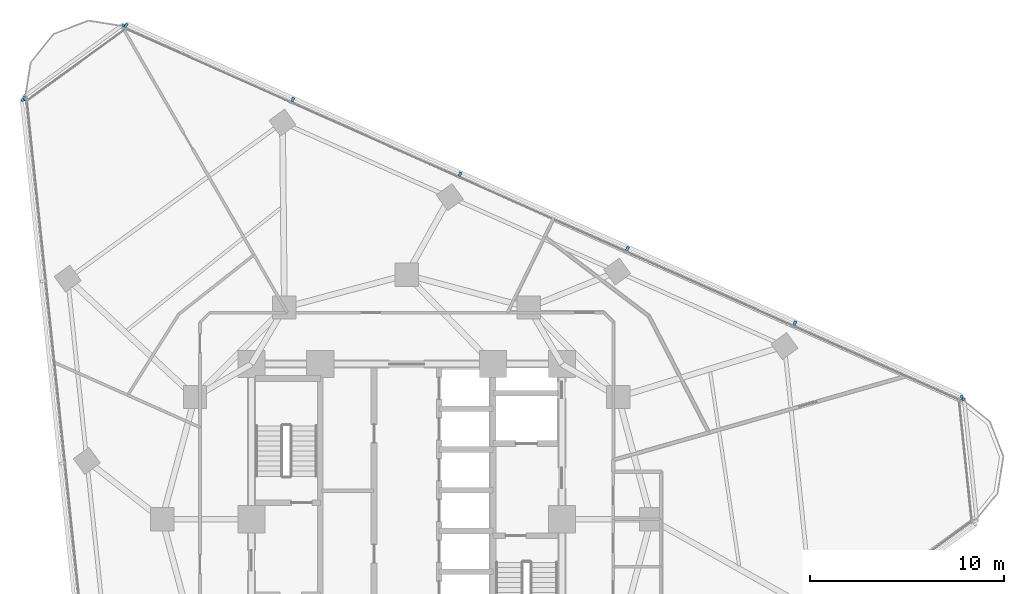
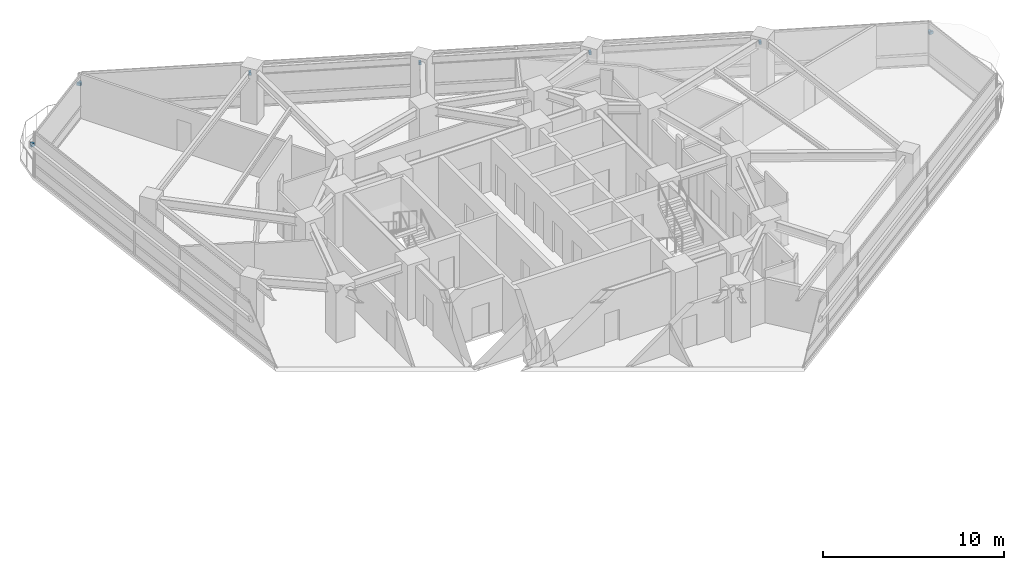
# One storey, part 11 of 14: 10 discrete accessories.
"""IFC4 building model written with IfcOpenShell, lengths in metres."""

import ifcopenshell
import ifcopenshell.guid

model = None  # the IFC model being written
_history = None  # IfcOwnerHistory: only IFC2X3 demands one
_inside = {}  # id of a spatial element -> (the spatial element, [elements in it])
_under = {}  # id of a project, library or spatial element -> (it, [spatial elements below it])
_declared = {}  # id of a project -> (the project, [libraries it declares])
_typed = {}  # id of a type object -> (the type object, [elements of that type])
_made_of = {}  # id of a material, layer set ... -> (it, [elements and type objects made of it])


def new_model(schema):
    """Start an empty IFC model of exactly this schema.

    Asked for "IFC4X3", IfcOpenShell would pick the latest addendum, in which some entities
    have other attributes; the version numbers below select the first issue.
    IFC2X3 requires an IfcOwnerHistory on every rooted entity: one is made here for all.
    """
    global model, _history
    if schema == "IFC4X3":
        model = ifcopenshell.file(schema_version=(4, 3, 0, 0))
    else:
        model = ifcopenshell.file(schema=schema)
    _inside.clear()
    _under.clear()
    _declared.clear()
    _typed.clear()
    _made_of.clear()
    _history = None
    if model.schema == "IFC2X3":
        org = make("IfcOrganization", Name="unknown")
        user = make(
            "IfcPersonAndOrganization",
            ThePerson=make("IfcPerson", FamilyName="unknown"),
            TheOrganization=org,
        )
        app = make(
            "IfcApplication",
            ApplicationDeveloper=org,
            Version="unknown",
            ApplicationFullName="unknown",
            ApplicationIdentifier="unknown",
        )
        _history = make(
            "IfcOwnerHistory",
            OwningUser=user,
            OwningApplication=app,
            ChangeAction="ADDED",
            CreationDate=0,
        )
    return model


def make(cls, **values):
    """One entity of the class cls with the attributes given. An attribute that is None is left unset."""
    return model.create_entity(
        cls, **{name: value for name, value in values.items() if value is not None}
    )


def rooted(cls, **values):
    """An entity with a GlobalId (a new one), such as an element, a storey or a relation."""
    return make(cls, GlobalId=ifcopenshell.guid.new(), OwnerHistory=_history, **values)


def si_unit(unit_type, name, prefix=None):
    """IfcSIUnit, for example si_unit("LENGTHUNIT", "METRE", prefix="MILLI")."""
    return make("IfcSIUnit", UnitType=unit_type, Prefix=prefix, Name=name)


def assignment(units):
    """IfcUnitAssignment: the units of a project."""
    return None if units is None else make("IfcUnitAssignment", Units=units)


def point(xyz):
    """IfcCartesianPoint."""
    return None if xyz is None else make("IfcCartesianPoint", Coordinates=xyz)


def direction(xyz):
    """IfcDirection."""
    return None if xyz is None else make("IfcDirection", DirectionRatios=xyz)


def frame(location, z_axis=None, x_axis=None):
    """IfcAxis2Placement3D, a coordinate frame: its origin and axes. An axis left out is left unset."""
    return make(
        "IfcAxis2Placement3D",
        Location=point(location),
        Axis=direction(z_axis),
        RefDirection=direction(x_axis),
    )


def frame_2d(location, x_axis=None):
    """IfcAxis2Placement2D, a coordinate frame in the plane: its origin and x axis."""
    return make(
        "IfcAxis2Placement2D", Location=point(location), RefDirection=direction(x_axis)
    )


def origin():
    """The frame at (0, 0, 0) with its axes left unset."""
    return frame((0.0, 0.0, 0.0))


def origin_2d():
    """The frame at (0, 0) in the plane with its x axis left unset."""
    return frame_2d((0.0, 0.0))


def place(relative_to, where):
    """IfcLocalPlacement: puts the frame where relative to a parent placement (None: the world)."""
    return make(
        "IfcLocalPlacement", PlacementRelTo=relative_to, RelativePlacement=where
    )


def context(
    kind, dimensions, precision=None, world=None, true_north=None, identifier=None
):
    """IfcGeometricRepresentationContext, for example the 3D "Model" context."""
    return make(
        "IfcGeometricRepresentationContext",
        ContextIdentifier=identifier,
        ContextType=kind,
        CoordinateSpaceDimension=dimensions,
        Precision=precision,
        WorldCoordinateSystem=world,
        TrueNorth=true_north,
    )


def subcontext(parent, identifier, kind, view, scale=None):
    """IfcGeometricRepresentationSubContext, for example "Body" below "Model"."""
    return make(
        "IfcGeometricRepresentationSubContext",
        ContextIdentifier=identifier,
        ContextType=kind,
        ParentContext=parent,
        TargetScale=scale,
        TargetView=view,
    )


def project(units=None, contexts=None):
    """IfcProject with its units and contexts."""
    return rooted(
        "IfcProject",
        Name="project",
        RepresentationContexts=contexts,
        UnitsInContext=assignment(units),
    )


def spatial(cls, under=None, at=None, **own):
    """A site, building, storey or space (cls), placed at a placement, below another one or the project."""
    s = rooted(cls, ObjectPlacement=at, **own)
    if under is not None:
        _under.setdefault(under.id(), (under, []))[1].append(s)
    return s


def profile(cls, at=None, kind="AREA", **sizes):
    """A parametric profile (cls). Its sizes go by their IFC names, for example OverallWidth=200.0."""
    return make(cls, ProfileType=kind, Position=at, **sizes)


def rectangle(**sizes):
    """IfcRectangleProfileDef."""
    return profile("IfcRectangleProfileDef", **sizes)


def extrude(swept, where, along, depth):
    """IfcExtrudedAreaSolid: the profile swept, set in the frame where, extruded along a direction by depth."""
    return make(
        "IfcExtrudedAreaSolid",
        SweptArea=swept,
        Position=where,
        ExtrudedDirection=direction(along),
        Depth=depth,
    )


def shape(context_of_items, identifier, shape_type, items):
    """IfcShapeRepresentation: the items that make up one representation, for example the "Body"."""
    return make(
        "IfcShapeRepresentation",
        ContextOfItems=context_of_items,
        RepresentationIdentifier=identifier,
        RepresentationType=shape_type,
        Items=items,
    )


def material(Name=None, Category=None):
    """IfcMaterial."""
    return make("IfcMaterial", Name=Name, Category=Category)


def made_of(thing, what):
    """Note that an element or type object is made of a material, layer set ...; save() writes the relation."""
    if what is not None:
        _made_of.setdefault(what.id(), (what, []))[1].append(thing)
    return thing


def type_object(cls, material=None, **own):
    """A type object (cls), such as IfcWallType, which elements share."""
    return made_of(rooted(cls, **own), material)


def element(
    cls,
    number,
    at=None,
    inside=None,
    cuts=None,
    type_object=None,
    material=None,
    context=None,
    identifier="Body",
    shape_type=None,
    held_by="IfcProductDefinitionShape",
    body=None,
    shapes=None,
    **own,
):
    """One element of the class cls, such as IfcWall. Its Tag is "e" and its number.

    at: its placement. inside: the storey or other place that contains it. cuts: it is an
    opening in that element (IfcRelVoidsElement). A single representation is given by context,
    identifier, shape_type and body (its items); several are given by shapes. held_by: the class
    of the entity that holds the representations. save() writes the other relations.
    """
    e = rooted(cls, Tag="e%d" % number, ObjectPlacement=at, **own)
    if body is not None:
        shapes = [shape(context, identifier, shape_type, body)]
    if shapes is not None:
        e.Representation = make(held_by, Representations=shapes)
    if inside is not None:
        _inside.setdefault(inside.id(), (inside, []))[1].append(e)
    if cuts is not None:
        rooted(
            "IfcRelVoidsElement", RelatingBuildingElement=cuts, RelatedOpeningElement=e
        )
    if type_object is not None:
        _typed.setdefault(type_object.id(), (type_object, []))[1].append(e)
    return made_of(e, material)


def aggregate(whole, parts):
    """IfcRelAggregates: a whole, such as a stair, and the parts it consists of."""
    return rooted("IfcRelAggregates", RelatingObject=whole, RelatedObjects=parts)


def save(model, path):
    """Write the relations noted so far, then the file.

    IfcRelAggregates (storeys below a building ...), IfcRelContainedInSpatialStructure (elements
    in a storey), IfcRelDefinesByType, IfcRelAssociatesMaterial and IfcRelDeclares: one each for
    every whole, place, type object, material and project.
    """
    for whole, parts in _under.values():
        aggregate(whole, parts)
    for where, things in _inside.values():
        rooted(
            "IfcRelContainedInSpatialStructure",
            RelatedElements=things,
            RelatingStructure=where,
        )
    for kind, things in _typed.values():
        rooted("IfcRelDefinesByType", RelatedObjects=things, RelatingType=kind)
    for what, things in _made_of.values():
        rooted("IfcRelAssociatesMaterial", RelatedObjects=things, RelatingMaterial=what)
    for by, libraries in _declared.values():
        rooted("IfcRelDeclares", RelatingContext=by, RelatedDefinitions=libraries)
    model.write(path)


model = new_model("IFC4")

# Units and contexts
model_context = context("Model", 3, precision=1e-05, world=origin(), true_north=direction((0.0, 1.0)))
body_context = subcontext(model_context, "Body", "Model", "MODEL_VIEW")
ifc_project = project(units=[si_unit("LENGTHUNIT", "METRE"), si_unit("AREAUNIT", "SQUARE_METRE"), si_unit("VOLUMEUNIT", "CUBIC_METRE"), si_unit("PLANEANGLEUNIT", "RADIAN"), si_unit("MASSUNIT", "GRAM", prefix="KILO")], contexts=[model_context])

# Site, building, storey
site_placement = place(None, origin())
site = spatial("IfcSite", under=ifc_project, at=site_placement, CompositionType="ELEMENT")
building_placement = place(site_placement, origin())
building = spatial("IfcBuilding", under=site, at=building_placement, Name="Terralouvre Media Tower", CompositionType="ELEMENT")
storey_placement = place(building_placement, frame((0.0, 0.0, 154.60009765625)))
storey = spatial("IfcBuildingStorey", under=building, at=storey_placement, Name="L39", CompositionType="ELEMENT", Elevation=154.60009765625)

# Discrete accessories
ifc_material = material(Name="Anodised extruded aluminium 6063-T6", Category="aluminium")
discrete_accessory_type = type_object("IfcDiscreteAccessoryType", Name="Mullion Stand-Off Baguette Fixing Bracket BK-01", PredefinedType="BRACKET", material=ifc_material)
for number, where, z_axis, x_axis, name in (
    (1, (28.588623046875, 6.280517578125, 2.07373046875), (0.0, 0.0, 1.0), (-0.913545469547, 0.406736616337, 0.0), "CW-L39-F1 Baguette Outrigger Bracket 1.01"),
    (2, (19.9990234375, 10.104736328125, 2.07373046875), (0.0, 0.0, 1.0), (-0.913545469547, 0.406736616337, 0.0), "CW-L39-F1 Baguette Outrigger Bracket 1.02"),
    (3, (11.375, 13.9443359375, 2.07373046875), (0.0, 0.0, 1.0), (-0.913545469547, 0.406736616337, 0.0), "CW-L39-F1 Baguette Outrigger Bracket 1.03"),
    (4, (2.751220703125, 17.783935546875, 2.07373046875), (0.0, 0.0, 1.0), (-0.913545469547, 0.406736616337, 0.0), "CW-L39-F1 Baguette Outrigger Bracket 1.04"),
    (5, (-5.87255859375, 21.62353515625, 2.07373046875), (0.0, 0.0, 1.0), (-0.913545469547, 0.406736616337, 0.0), "CW-L39-F1 Baguette Outrigger Bracket 1.05"),
    (6, (-14.462158203125, 25.44775390625, 2.07373046875), (0.0, 0.0, 1.0), (-0.913545469547, 0.406736616337, 0.0), "CW-L39-F1 Baguette Outrigger Bracket 1.06"),
    (7, (-19.7333984375, 21.6181640625, 2.07373046875), (0.0, 0.0, 1.0), (0.104528376236, -0.994521904516, 0.0), "CW-L39-F2 Baguette Outrigger Bracket 1.01"),
    (8, (28.63037109375, 6.193359375, 2.07373046875), (0.0, 0.0, 1.0), (-0.10452850319, 0.994521891172, 0.0), "CW-L39-C1 Baguette Outrigger Bracket 1.02"),
    (9, (-14.554931640625, 25.420654296875, 2.07373046875), (0.0, 0.0, 1.0), (-0.809017438344, -0.587784641221, 0.0), "CW-L39-C2 Baguette Outrigger Bracket 1.01"),
    (10, (-19.678955078125, 21.697998046875, 2.07373046875), (0.0, 0.0, 1.0), (-0.809017438344, -0.587784641221, 0.0), "CW-L39-C2 Baguette Outrigger Bracket 1.02"),
):
    element("IfcDiscreteAccessory", number, at=place(storey_placement, frame(where, z_axis=z_axis, x_axis=x_axis)), inside=storey, type_object=discrete_accessory_type, Name=name, PredefinedType="BRACKET", context=body_context, shape_type="SweptSolid", body=[
        extrude(rectangle(XDim=0.139892578125, YDim=0.239990234375, at=origin_2d()), origin(), (0.0, 0.0, 1.0), 0.179931640625),
    ])

save(model, "model.ifc")
